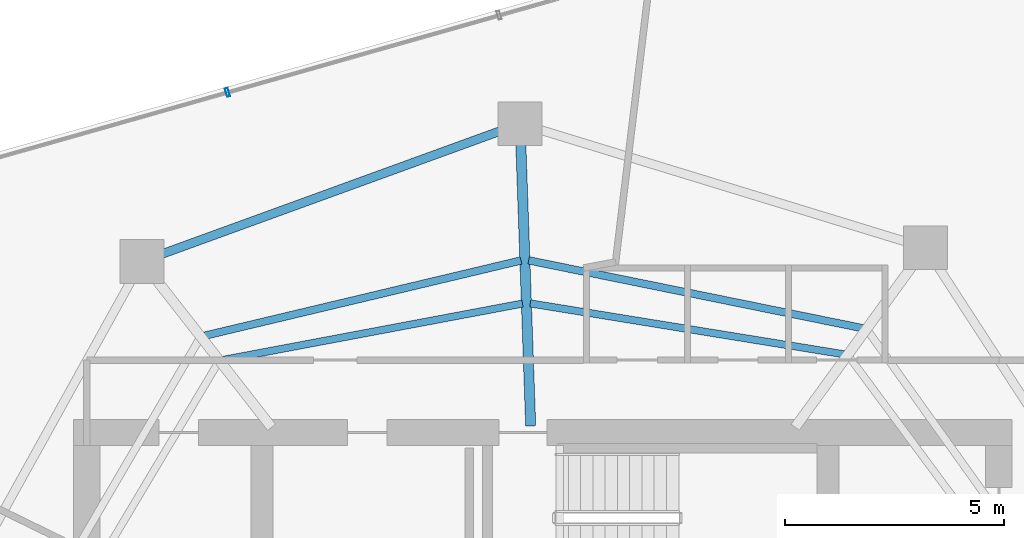
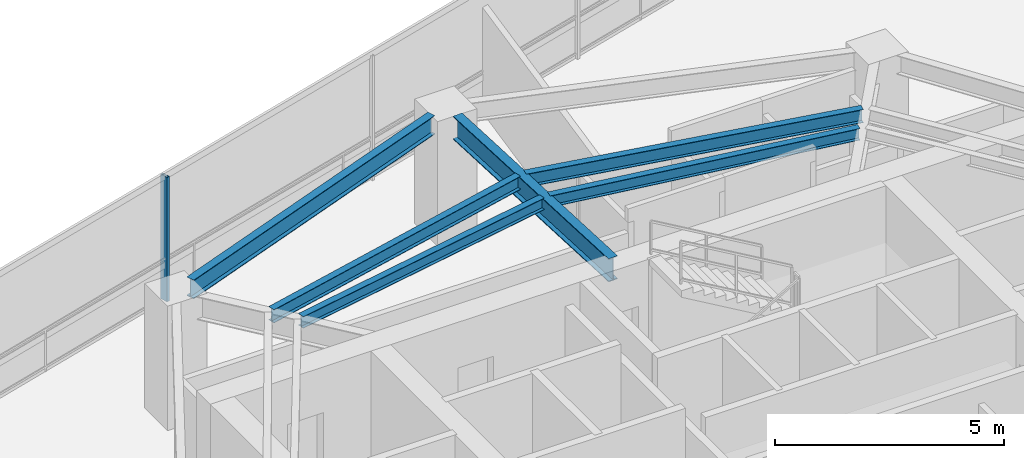
# One storey, part 10 of 19: 6 beams, 1 member, 1 element without a shape of its own.
"""IFC4 building model written with IfcOpenShell, lengths in metres."""

from ifc_helpers import new_model, si_unit, direction, frame, origin, origin_2d, place, context, subcontext, project, spatial, hollow_rectangle, i_section, extrude, material, layer, layer_set, material_profile, profile_set, type_object, element, aggregate, save


model = new_model("IFC4")

# Units and contexts
model_context = context("Model", 3, precision=1e-05, world=origin(), true_north=direction((0.0, 1.0)))
body_context = subcontext(model_context, "Body", "Model", "MODEL_VIEW")
ifc_project = project(units=[si_unit("LENGTHUNIT", "METRE"), si_unit("AREAUNIT", "SQUARE_METRE"), si_unit("VOLUMEUNIT", "CUBIC_METRE"), si_unit("PLANEANGLEUNIT", "RADIAN"), si_unit("MASSUNIT", "GRAM", prefix="KILO")], contexts=[model_context])

# Site, building, storey
site_placement = place(None, origin())
site = spatial("IfcSite", under=ifc_project, at=site_placement, CompositionType="ELEMENT")
building_placement = place(site_placement, origin())
building = spatial("IfcBuilding", under=site, at=building_placement, Name="Qarnah Convention Tower", CompositionType="ELEMENT")
storey_placement = place(building_placement, frame((0.0, 0.0, 125.699951171875)))
storey = spatial("IfcBuildingStorey", under=building, at=storey_placement, Name="L33", CompositionType="ELEMENT", Elevation=125.699951171875)

# Beams
ifc_material_1 = material(Name="Structural steel S355JR", Category="steel")
ifc_material_profile_1 = material_profile(ifc_material_1, i_section(OverallWidth=0.166015625, OverallDepth=0.31201171875, WebThickness=0.007080078125, FlangeThickness=0.010986328125, at=origin_2d()), Name="W310X45")
ifc_profile_set_1 = profile_set([ifc_material_profile_1], Name="Structural steel S355JR")
beam_type_1 = type_object("IfcBeamType", Name="BM-JST-W310", PredefinedType="JOIST", material=ifc_profile_set_1)
beam_1_placement = place(storey_placement, frame((44.06396484375, 35.98388671875, 3.1640625), z_axis=(-0.987111234702, 0.160035653294, 0.0), x_axis=(-0.160035653294, -0.987111234702, 0.0)))
element("IfcBeam", 1, at=beam_1_placement, inside=storey, type_object=beam_type_1, Name="L33 joist BM-L33-IJST-02", PredefinedType="JOIST", context=body_context, shape_type="SweptSolid", body=[
    extrude(i_section(OverallWidth=0.166015625, OverallDepth=0.31201171875, WebThickness=0.007080078125, FlangeThickness=0.010986328125, at=origin_2d()), origin(), (0.0, 0.0, 1.0), 7.2431640625),
])
beam_2_placement = place(storey_placement, frame((36.737060546875, 37.139892578125, 3.1640625), z_axis=(-0.982756163935, -0.18490625259, 0.0), x_axis=(0.18490625259, -0.982756163935, 0.0)))
element("IfcBeam", 2, at=beam_2_placement, inside=storey, type_object=beam_type_1, Name="L33 joist BM-L33-IJST-03", PredefinedType="JOIST", context=body_context, shape_type="SweptSolid", body=[
    extrude(i_section(OverallWidth=0.166015625, OverallDepth=0.31201171875, WebThickness=0.007080078125, FlangeThickness=0.010986328125, at=origin_2d()), origin(), (0.0, 0.0, 1.0), 6.943603515625),
])
ifc_material_profile_2 = material_profile(ifc_material_1, i_section(OverallWidth=0.172119140625, OverallDepth=0.35595703125, WebThickness=0.007080078125, FlangeThickness=0.011962890625, at=origin_2d()), Name="W360X51")
ifc_profile_set_2 = profile_set([ifc_material_profile_2], Name="Structural steel S355JR")
beam_type_2 = type_object("IfcBeamType", Name="BM-JST-W360", PredefinedType="JOIST", material=ifc_profile_set_2)
beam_3_placement = place(storey_placement, frame((44.493896484375, 36.577880859375, 3.14208984375), z_axis=(-0.979984159566, 0.199075480659, 0.0), x_axis=(-0.199075480659, -0.979984159566, 0.0)))
element("IfcBeam", 3, at=beam_3_placement, inside=storey, type_object=beam_type_2, Name="L33 joist BM-L33-SJST-02", PredefinedType="JOIST", context=body_context, shape_type="SweptSolid", body=[
    extrude(i_section(OverallWidth=0.172119140625, OverallDepth=0.35595703125, WebThickness=0.007080078125, FlangeThickness=0.011962890625, at=origin_2d()), origin(), (0.0, 0.0, 1.0), 7.771484375),
])
beam_4_placement = place(storey_placement, frame((36.701904296875, 38.1220703125, 3.14208984375), z_axis=(-0.972859525366, -0.231396507979, 0.0), x_axis=(0.231396507979, -0.972859525366, 0.0)))
element("IfcBeam", 4, at=beam_4_placement, inside=storey, type_object=beam_type_2, Name="L33 joist BM-L33-SJST-03", PredefinedType="JOIST", context=body_context, shape_type="SweptSolid", body=[
    extrude(i_section(OverallWidth=0.172119140625, OverallDepth=0.35595703125, WebThickness=0.007080078125, FlangeThickness=0.011962890625, at=origin_2d()), origin(), (0.0, 0.0, 1.0), 7.416015625),
])
ifc_material_profile_3 = material_profile(ifc_material_1, i_section(OverallWidth=0.22998046875, OverallDepth=0.617919921875, WebThickness=0.012939453125, FlangeThickness=0.02197265625, at=origin_2d()), Name="W610X140")
ifc_profile_set_3 = profile_set([ifc_material_profile_3], Name="Structural steel S355JR")
beam_type_3 = type_object("IfcBeamType", Name="BM-RAD-W610A", PredefinedType="BEAM", material=ifc_profile_set_3)
beam_5_placement = place(storey_placement, frame((36.923095703125, 34.35009765625, 3.010986328125), z_axis=(-0.034938098977, 0.999389478252, 0.0), x_axis=(-0.999389478252, -0.034938098977, 0.0)))
element("IfcBeam", 5, at=beam_5_placement, inside=storey, type_object=beam_type_3, Name="L33 beam BM-L33-RAD-03", PredefinedType="BEAM", context=body_context, shape_type="SweptSolid", body=[
    extrude(i_section(OverallWidth=0.22998046875, OverallDepth=0.617919921875, WebThickness=0.012939453125, FlangeThickness=0.02197265625, at=origin_2d()), origin(), (0.0, 0.0, 1.0), 6.414794921875),
])
ifc_material_profile_4 = material_profile(ifc_material_1, i_section(OverallWidth=0.199951171875, OverallDepth=0.5, WebThickness=0.010009765625, FlangeThickness=0.01611328125, at=origin_2d()), Name="IPE500")
ifc_profile_set_4 = profile_set([ifc_material_profile_4], Name="Structural steel S355JR")
beam_type_4 = type_object("IfcBeamType", Name="BM-SPN-IPE500", PredefinedType="SPANDREL", material=ifc_profile_set_4)
beam_6_placement = place(storey_placement, frame((36.221923828125, 41.072998046875, 3.070068359375), z_axis=(-0.939745596534, -0.341874558567, 0.0), x_axis=(0.341874558567, -0.939745596534, 0.0)))
element("IfcBeam", 6, at=beam_6_placement, inside=storey, type_object=beam_type_4, Name="L33 spandrel BM-L33-SPN-03", PredefinedType="SPANDREL", context=body_context, shape_type="SweptSolid", body=[
    extrude(i_section(OverallWidth=0.199951171875, OverallDepth=0.5, WebThickness=0.010009765625, FlangeThickness=0.01611328125, at=origin_2d()), origin(), (0.0, 0.0, 1.0), 8.19873046875),
])

# Curtain wall, member
ifc_material_2 = material(Name="Tempered Low-E dark glass", Category="glass")
ifc_layer = layer(ifc_material_2, 0.172119140625)
ifc_layer_set = layer_set([ifc_layer], Name="Tempered Low-E dark glass")
curtain_wall_type = type_object("IfcCurtainWallType", Name="CWS-03", PredefinedType="NOTDEFINED", material=ifc_layer_set)
curtain_wall_placement = place(storey_placement, origin())
curtain_wall = element("IfcCurtainWall", 7, at=curtain_wall_placement, inside=storey, type_object=curtain_wall_type, Name="L33 unitised curtain wall CW-L33-F4", PredefinedType="NOTDEFINED")
ifc_material_3 = material(Name="Black anodised aluminium", Category="aluminium")
ifc_material_profile_5 = material_profile(ifc_material_3, hollow_rectangle(XDim=0.070068359375, YDim=0.199951171875, WallThickness=0.0048828125, at=origin_2d()), Name="MUL-70X200")
ifc_profile_set_5 = profile_set([ifc_material_profile_5], Name="Black anodised aluminium")
member_type = type_object("IfcMemberType", Name="MUL-T3", PredefinedType="MULLION", material=ifc_profile_set_5)
member_placement = place(storey_placement, frame((30.0078125, 41.957275390625, 0.0), z_axis=(0.0, 0.0, 1.0), x_axis=(0.962024008053, 0.272964847426, 0.0)))
member = element("IfcMember", 8, at=member_placement, type_object=member_type, Name="CW-L33-F4 mullion 3", PredefinedType="MULLION", context=body_context, shape_type="SweptSolid", body=[
    extrude(hollow_rectangle(XDim=0.070068359375, YDim=0.199951171875, WallThickness=0.0048828125, at=origin_2d()), origin(), (0.0, 0.0, 1.0), 3.320068359375),
])
aggregate(curtain_wall, [member])

save(model, "model.ifc")
